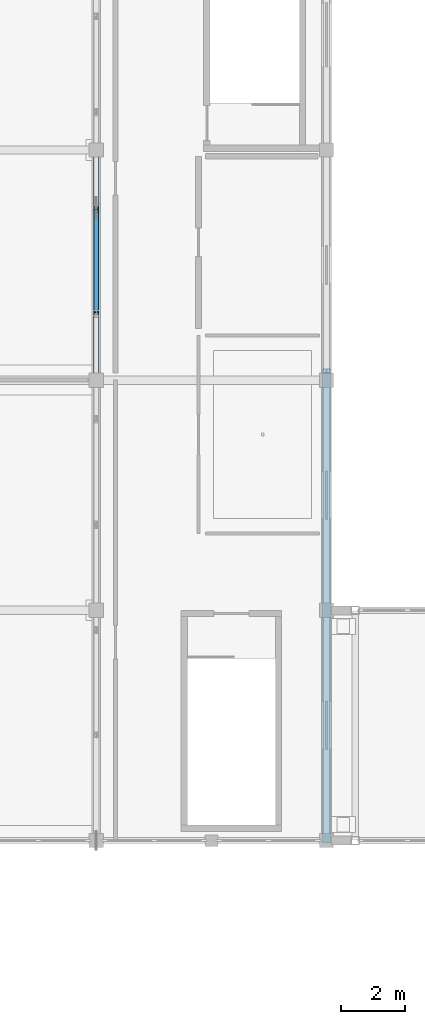
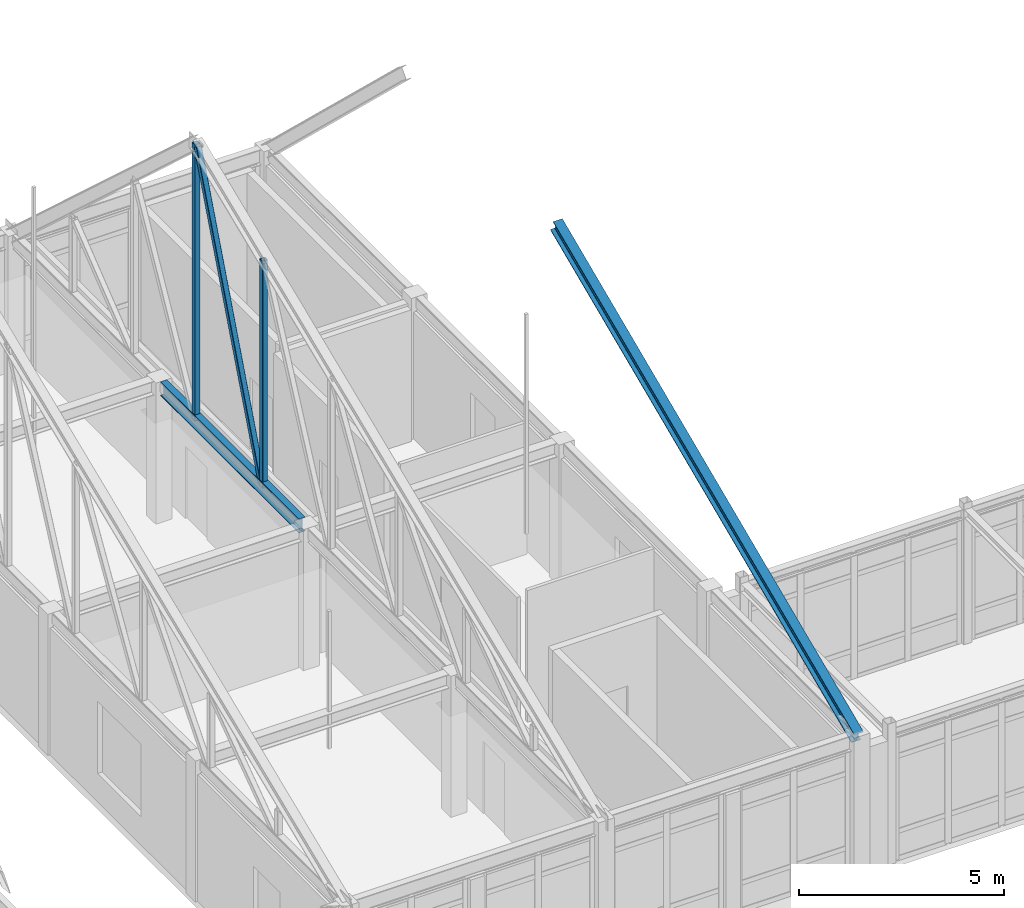
# One storey, part 37 of 136: 4 members, 1 beam.
"""IFC4 building model written with IfcOpenShell, lengths in metres."""

from ifc_helpers import new_model, si_unit, direction, frame, origin, origin_2d, place, context, subcontext, project, spatial, hollow_rectangle, i_section, extrude, material, material_profile, profile_set, type_object, element, save


model = new_model("IFC4")

# Units and contexts
model_context = context("Model", 3, precision=1e-05, world=origin(), true_north=direction((0.0, 1.0)))
body_context = subcontext(model_context, "Body", "Model", "MODEL_VIEW")
ifc_project = project(units=[si_unit("LENGTHUNIT", "METRE"), si_unit("AREAUNIT", "SQUARE_METRE"), si_unit("VOLUMEUNIT", "CUBIC_METRE"), si_unit("PLANEANGLEUNIT", "RADIAN"), si_unit("MASSUNIT", "GRAM", prefix="KILO")], contexts=[model_context])

# Site, building, storey
site_placement = place(None, origin())
site = spatial("IfcSite", under=ifc_project, at=site_placement, CompositionType="ELEMENT")
building_placement = place(site_placement, origin())
building = spatial("IfcBuilding", under=site, at=building_placement, Name="Koriwan Promenade Central Fire Station", CompositionType="ELEMENT")
storey_placement = place(building_placement, frame((0.0, 0.0, 5.39990234375)))
storey = spatial("IfcBuildingStorey", under=building, at=storey_placement, Name="L01", CompositionType="ELEMENT", Elevation=5.39990234375)

# Members
ifc_material_1 = material(Name="Steel ASTM A992 Grade 50", Category="steel")
ifc_material_profile_1 = material_profile(ifc_material_1, i_section(OverallWidth=0.257080078125, OverallDepth=0.363037109375, WebThickness=0.012939453125, FlangeThickness=0.021728515625, FilletRadius=0.014892578125, at=origin_2d()), Name="W360x122")
ifc_profile_set_1 = profile_set([ifc_material_profile_1], Name="Steel ASTM A992 Grade 50")
member_type_1 = type_object("IfcMemberType", Name="Member_CHORD_W360x122", PredefinedType="CHORD", material=ifc_profile_set_1)
member_1_placement = place(storey_placement, frame((115.199951171875, 43.199951171875, 4.02001953125), z_axis=(0.0, 0.917480891536, 0.397779855782), x_axis=(-1.0, 0.0, 0.0)))
element("IfcMember", 1, at=member_1_placement, inside=storey, type_object=member_type_1, Name="V1 end portal south rafter (115.2)", PredefinedType="CHORD", context=body_context, shape_type="SweptSolid", body=[
    extrude(i_section(OverallWidth=0.257080078125, OverallDepth=0.363037109375, WebThickness=0.012939453125, FlangeThickness=0.021728515625, FilletRadius=0.014892578125, at=origin_2d()), origin(), (0.0, 0.0, 1.0), 16.013671875),
])
ifc_material_2 = material(Name="Steel ASTM A500 Grade C", Category="steel")
ifc_material_profile_2 = material_profile(ifc_material_2, hollow_rectangle(XDim=0.14990234375, YDim=0.14990234375, WallThickness=0.008056640625, InnerFilletRadius=0.008056640625, OuterFilletRadius=0.01611328125, at=origin_2d()), Name="HSS150x150x8")
ifc_profile_set_2 = profile_set([ifc_material_profile_2], Name="Steel ASTM A500 Grade C")
member_type_2 = type_object("IfcMemberType", Name="Member_STRUT_HSS150x150x8", PredefinedType="STRUT", material=ifc_profile_set_2)
member_2_placement = place(storey_placement, frame((108.0, 59.699951171875, 4.02001953125), z_axis=(0.0, 0.0, 1.0), x_axis=(1.0, 0.0, 0.0)))
element("IfcMember", 2, at=member_2_placement, inside=storey, type_object=member_type_2, Name="TR_V1_08 vertical 5", PredefinedType="STRUT", context=body_context, shape_type="SweptSolid", body=[
    extrude(hollow_rectangle(XDim=0.14990234375, YDim=0.14990234375, WallThickness=0.008056640625, InnerFilletRadius=0.008056640625, OuterFilletRadius=0.01611328125, at=origin_2d()), origin(), (0.0, 0.0, 1.0), 6.753662109375),
])
member_3_placement = place(storey_placement, frame((108.0, 63.0, 4.02001953125), z_axis=(0.0, 0.0, 1.0), x_axis=(1.0, 0.0, 0.0)))
element("IfcMember", 3, at=member_3_placement, inside=storey, type_object=member_type_2, Name="TR_V1_08 vertical 6", PredefinedType="STRUT", context=body_context, shape_type="SweptSolid", body=[
    extrude(hollow_rectangle(XDim=0.14990234375, YDim=0.14990234375, WallThickness=0.008056640625, InnerFilletRadius=0.008056640625, OuterFilletRadius=0.01611328125, at=origin_2d()), origin(), (0.0, 0.0, 1.0), 8.220458984375),
])
member_4_placement = place(storey_placement, frame((108.0, 59.780029296875, 4.070068359375), z_axis=(0.0, 0.360647144455, 0.932702330434), x_axis=(-1.0, 0.0, 0.0)))
element("IfcMember", 4, at=member_4_placement, inside=storey, type_object=member_type_2, Name="TR_V1_08 web diagonal 6", PredefinedType="STRUT", context=body_context, shape_type="SweptSolid", body=[
    extrude(hollow_rectangle(XDim=0.14990234375, YDim=0.14990234375, WallThickness=0.008056640625, InnerFilletRadius=0.008056640625, OuterFilletRadius=0.01611328125, at=origin_2d()), origin(), (0.0, 0.0, 1.0), 8.706298828125),
])

# Beam
ifc_material_profile_3 = material_profile(ifc_material_1, i_section(OverallWidth=0.180908203125, OverallDepth=0.4169921875, WebThickness=0.010986328125, FlangeThickness=0.018310546875, FilletRadius=0.01611328125, at=origin_2d()), Name="W410x85")
ifc_profile_set_3 = profile_set([ifc_material_profile_3], Name="Steel ASTM A992 Grade 50")
beam_type = type_object("IfcBeamType", Name="SteelBeam_W410x85", PredefinedType="BEAM", material=ifc_profile_set_3)
beam_placement = place(storey_placement, frame((108.0, 57.824951171875, 3.99169921875), z_axis=(0.0, 1.0, 0.0), x_axis=(-1.0, 0.0, 0.0)))
element("IfcBeam", 5, at=beam_placement, inside=storey, type_object=beam_type, Name="V1 L01 girder Y-76", PredefinedType="BEAM", context=body_context, shape_type="SweptSolid", body=[
    extrude(i_section(OverallWidth=0.180908203125, OverallDepth=0.4169921875, WebThickness=0.010986328125, FlangeThickness=0.018310546875, FilletRadius=0.01611328125, at=origin_2d()), origin(), (0.0, 0.0, 1.0), 6.75),
])

save(model, "model.ifc")
